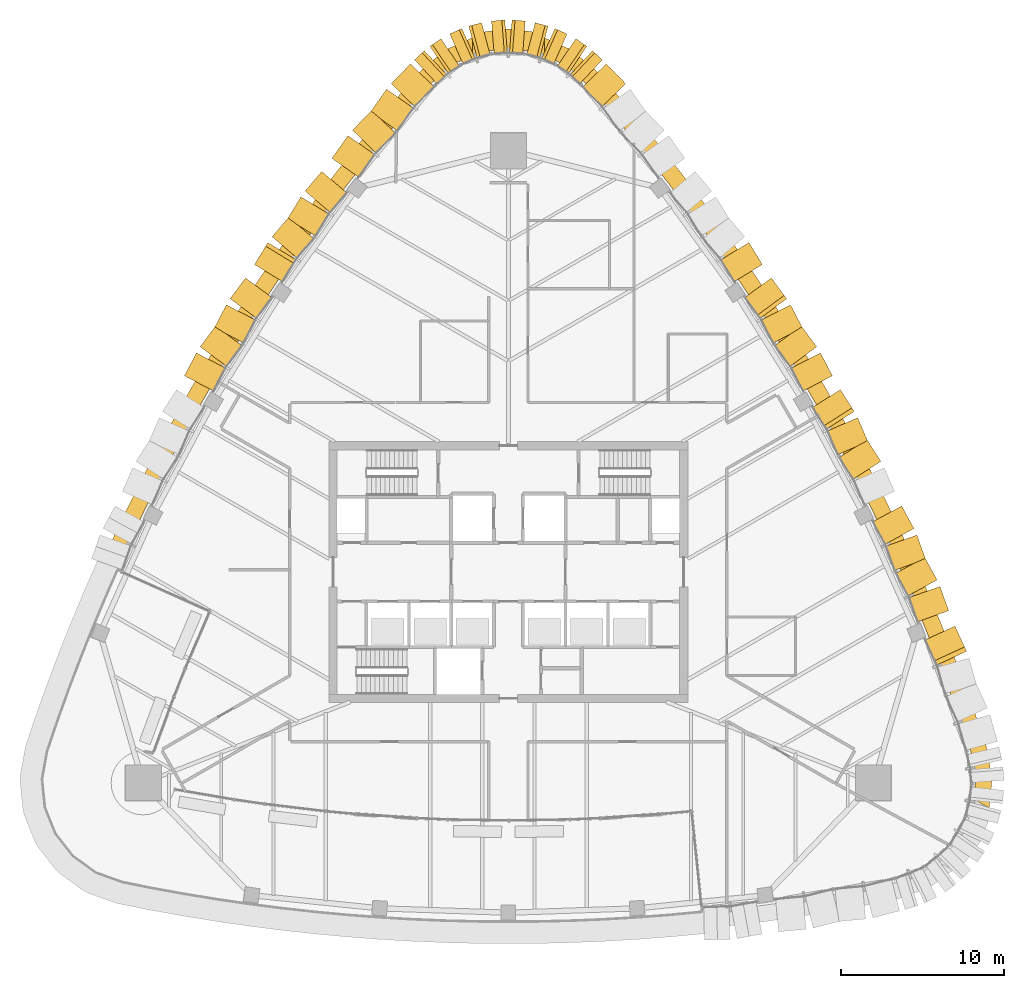
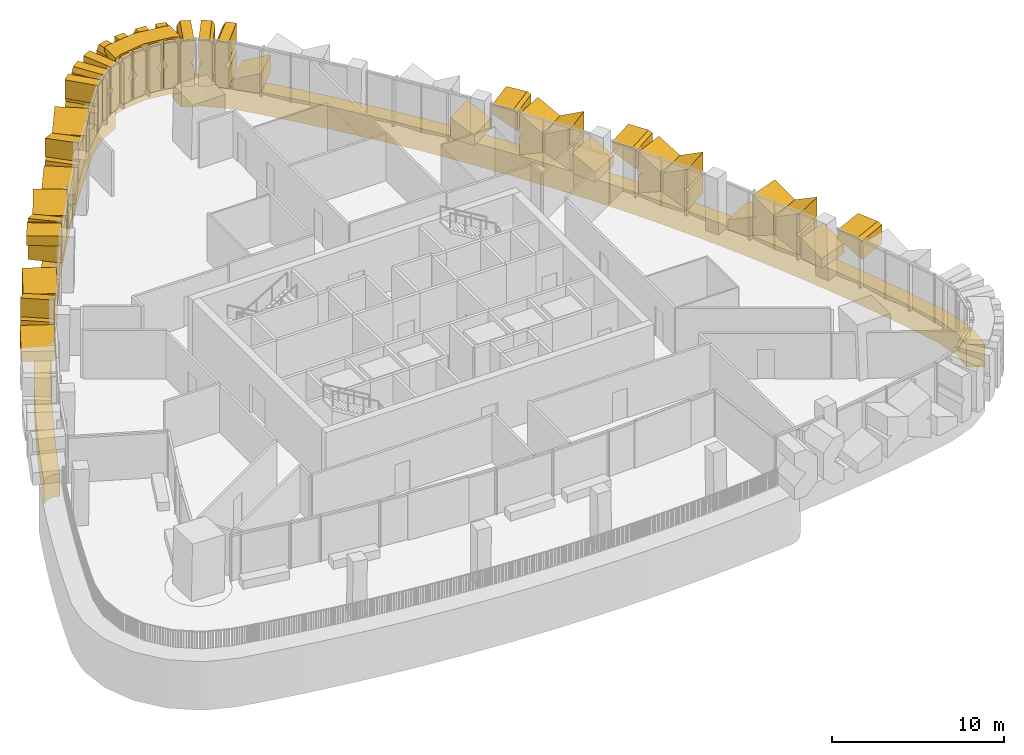
# One storey, part 20 of 22: 39 coverings.
"""IFC4 building model written with IfcOpenShell, lengths in metres."""

from ifc_helpers import new_model, si_unit, direction, frame, origin, place, context, subcontext, project, spatial, polyline, outline, extrude, material, layer, layer_set, type_object, element, save


model = new_model("IFC4")

# Units and contexts
model_context = context("Model", 3, precision=1e-05, world=origin(), true_north=direction((0.0, 1.0)))
body_context = subcontext(model_context, "Body", "Model", "MODEL_VIEW")
ifc_project = project(units=[si_unit("LENGTHUNIT", "METRE"), si_unit("AREAUNIT", "SQUARE_METRE"), si_unit("VOLUMEUNIT", "CUBIC_METRE"), si_unit("PLANEANGLEUNIT", "RADIAN"), si_unit("MASSUNIT", "GRAM", prefix="KILO")], contexts=[model_context])

# Site, building, storey
site_placement = place(None, origin())
site = spatial("IfcSite", under=ifc_project, at=site_placement, CompositionType="ELEMENT")
building_placement = place(site_placement, origin())
building = spatial("IfcBuilding", under=site, at=building_placement, Name="Sierra Prisma Convention Tower", CompositionType="ELEMENT")
storey_placement = place(building_placement, frame((0.0, 0.0, 227.0)))
storey = spatial("IfcBuildingStorey", under=building, at=storey_placement, Name="L50", CompositionType="ELEMENT", Elevation=227.0)

# Coverings
ifc_material_1 = material(Name="Aluminium composite bronze anodised", Category="aluminium")
ifc_layer_1 = layer(ifc_material_1, 1.199951171875)
ifc_layer_set_1 = layer_set([ifc_layer_1], Name="Bronze corner pier")
covering_type_1 = type_object("IfcCoveringType", Name="Bronze corner pier", PredefinedType="CLADDING", material=ifc_layer_set_1)
covering_1_placement = place(storey_placement, frame((0.0, 0.0, -0.60009765625)))
element("IfcCovering", 1, at=covering_1_placement, inside=storey, type_object=covering_type_1, Name="Corner pier N L50.1", PredefinedType="CLADDING", context=body_context, shape_type="SweptSolid", body=[
    extrude(outline(polyline([(-0.16796875, 33.315185546875), (0.16796875, 33.315185546875), (1.903076171875, 33.070068359375), (2.199951171875, 32.984375), (2.199951171875, 31.67333984375), (1.735107421875, 31.8818359375), (0.0, 32.127197265625), (-1.735107421875, 31.8818359375), (-2.199951171875, 31.67333984375), (-2.199951171875, 32.984375), (-1.903076171875, 33.070068359375), (-0.16796875, 33.315185546875)])), origin(), (0.0, 0.0, 1.0), 4.0),
])
ifc_material_2 = material(Name="Aluminium 6063-T6 bronze anodised", Category="aluminium")
ifc_layer_2 = layer(ifc_material_2, 2.0)
ifc_layer_set_2 = layer_set([ifc_layer_2], Name="Bronze crystal chevron frame")
covering_type_2 = type_object("IfcCoveringType", Name="Bronze crystal chevron frame", PredefinedType="CLADDING", material=ifc_layer_set_2)
covering_2_placement = place(storey_placement, frame((28.09619140625, -4.858154296875, 1.831298828125), z_axis=(0.908156625246, 0.418630557657, -1.4771159e-05), x_axis=(-0.381776107502, 0.828220861507, 0.410240427438)))
element("IfcCovering", 2, at=covering_2_placement, inside=storey, type_object=covering_type_2, Name="CW-2 chevron frame NE1.2.2", PredefinedType="CLADDING", context=body_context, shape_type="SweptSolid", body=[
    extrude(outline(polyline([(0.0, 0.0), (1.8615227164022956, -1.1102230246251565e-16), (2.142561446722345, 0.6247579601961271), (0.8635087677607567, 1.2001221237740765), (0.5398427499732954, 1.2000874573974076), (0.0, 0.0)])), origin(), (0.0, 0.0, -1.0), 2.0),
])
covering_3_placement = place(storey_placement, frame((26.552978515625, -1.12451171875, 0.0), z_axis=(0.941783610959, 0.336219615543, -1.5930939e-05), x_axis=(-0.302810731461, 0.848222689988, 0.434538754429)))
element("IfcCovering", 3, at=covering_3_placement, inside=storey, type_object=covering_type_2, Name="CW-2 chevron frame NE2.1.1", PredefinedType="CLADDING", context=body_context, shape_type="SweptSolid", body=[
    extrude(outline(polyline([(0.0, 0.0), (0.2814811162249958, 0.0), (0.8605124935864916, 1.2001378940533995), (-0.8867415709483897, 1.199836024966626), (-1.1888817986372024, 0.573600641627659), (0.0, 0.0)])), origin(), (0.0, 0.0, -1.0), 2.0),
])
covering_4_placement = place(storey_placement, frame((26.286376953125, -0.48095703125, 1.517578125), z_axis=(0.877510414343, 0.479557580191, 0.0), x_axis=(0.0, 0.0, -1.0)))
element("IfcCovering", 4, at=covering_4_placement, inside=storey, type_object=covering_type_2, Name="CW-2 chevron frame NE2.1.2", PredefinedType="CLADDING", context=body_context, shape_type="SweptSolid", body=[
    extrude(outline(polyline([(0.0, 0.0), (1.33251953125, 0.0), (0.57275390625, 1.5736111777093222), (-0.817626953125, 1.5736111777093222), (-1.577392578125, 0.0), (-0.244873046875, 0.0), (-0.122314453125, 0.2534745269536312), (0.0, 0.0)])), origin(), (0.0, 0.0, -1.0), 2.0),
])
covering_5_placement = place(storey_placement, frame((25.582763671875, 0.78662109375, 0.94482421875), z_axis=(0.941751730593, 0.336308902537, 0.0), x_axis=(-0.302865368316, 0.848101202783, -0.434737758325)))
element("IfcCovering", 5, at=covering_5_placement, inside=storey, type_object=covering_type_2, Name="CW-2 chevron frame NE2.2.1", PredefinedType="CLADDING", context=body_context, shape_type="SweptSolid", body=[
    extrude(outline(polyline([(0.0, 0.0), (1.7476412169213669, 0.0), (1.1683446629820495, 1.200009918190992), (0.8868635578100439, 1.1999477216367662), (1.0618891035095073, 1.4205320779465005), (0.4825925495701897, 2.6205419961374927), (-0.6044510580220618, 1.2521173477643275), (0.0, 0.0)])), origin(), (0.0, 0.0, -1.0), 2.0),
])
covering_6_placement = place(storey_placement, frame((24.8720703125, 2.67333984375, 0.122314453125), z_axis=(0.877612289024, 0.479371117851, -3.9040714e-05), x_axis=(-0.431748372865, 0.790391195215, -0.434597631213)))
element("IfcCovering", 6, at=covering_6_placement, inside=storey, type_object=covering_type_2, Name="CW-2 chevron frame NE2.2.2", PredefinedType="CLADDING", context=body_context, shape_type="SweptSolid", body=[
    extrude(outline(polyline([(0.0, 0.0), (0.28144298871211343, -1.3877787807814457e-17), (1.4704782413863928, 0.5737705087437753), (1.168297075933643, 1.1999861386708714), (-0.579109831826232, 1.2001000379712399), (0.0, 0.0)])), origin(), (0.0, 0.0, -1.0), 2.0),
])
covering_7_placement = place(storey_placement, frame((22.83984375, 6.78759765625, 1.516845703125), z_axis=(0.842904599779, 0.53806304061, 0.0), x_axis=(0.0, 0.0, -1.0)))
element("IfcCovering", 7, at=covering_7_placement, inside=storey, type_object=covering_type_2, Name="CW-2 chevron frame NE3.1.2", PredefinedType="CLADDING", context=body_context, shape_type="SweptSolid", body=[
    extrude(outline(polyline([(0.0, 0.0), (1.331298828125, 0.0), (0.5712890625, 1.5817357858795353), (-0.817626953125, 1.5817357858795353), (-1.57763671875, 0.0), (-0.246337890625, 0.0), (-0.123046875, 0.25634184295643336), (0.0, 0.0)])), origin(), (0.0, 0.0, -1.0), 2.0),
])
covering_8_placement = place(storey_placement, frame((22.047119140625, 8.01123046875, 0.945556640625), z_axis=(0.916740233178, 0.399483848075, 0.0), x_axis=(-0.360070678171, 0.826294427316, -0.433112717555)))
element("IfcCovering", 8, at=covering_8_placement, inside=storey, type_object=covering_type_2, Name="CW-2 chevron frame NE3.2.1", PredefinedType="CLADDING", context=body_context, shape_type="SweptSolid", body=[
    extrude(outline(polyline([(0.0, 0.0), (1.7547620626673406, 0.0), (1.1781596093397804, 1.199952574306017), (0.8939668205508566, 1.1999074902394384), (1.0714675360943178, 1.4219867110151263), (0.49486508276675767, 2.6219392853211434), (-0.6015571899835851, 1.2518852366086433), (0.0, 0.0)])), origin(), (0.0, 0.0, -1.0), 2.0),
])
covering_9_placement = place(storey_placement, frame((21.206787109375, 9.8525390625, 1.82568359375), z_axis=(0.842904599499, 0.538063041012, 6.283506e-06), x_axis=(-0.485014820038, 0.759796661091, 0.432977664712)))
element("IfcCovering", 9, at=covering_9_placement, inside=storey, type_object=covering_type_2, Name="CW-2 chevron frame NE3.2.2", PredefinedType="CLADDING", context=body_context, shape_type="SweptSolid", body=[
    extrude(outline(polyline([(0.0, 0.0), (1.754745537463533, -1.1102230246251565e-16), (2.0554831976456125, 0.6260977117489657), (0.8607669353213178, 1.1999636860627398), (0.5764226576354582, 1.2000389533100566), (0.0, 0.0)])), origin(), (0.0, 0.0, -1.0), 2.0),
])
covering_10_placement = place(storey_placement, frame((19.254150390625, 13.2119140625, 0.0), z_axis=(0.887405678175, 0.4609893297, -1.5644972e-05), x_axis=(-0.415599909652, 0.800045608499, 0.432670474401)))
element("IfcCovering", 10, at=covering_10_placement, inside=storey, type_object=covering_type_2, Name="CW-2 chevron frame NE4.1.1", PredefinedType="CLADDING", context=body_context, shape_type="SweptSolid", body=[
    extrude(outline(polyline([(0.0, 0.0), (0.28438935119407494, 0.0), (0.8604030467290298, 1.2002353068833425), (-0.8945114296715719, 1.199718480639504), (-1.1950357215837206, 0.5735183251135351), (0.0, 0.0)])), origin(), (0.0, 0.0, -1.0), 2.0),
])
covering_11_placement = place(storey_placement, frame((18.9013671875, 13.815673828125, 1.516845703125), z_axis=(0.804371122643, 0.594127172462, 0.0), x_axis=(0.0, 0.0, -1.0)))
element("IfcCovering", 11, at=covering_11_placement, inside=storey, type_object=covering_type_2, Name="CW-2 chevron frame NE4.1.2", PredefinedType="CLADDING", context=body_context, shape_type="SweptSolid", body=[
    extrude(outline(polyline([(0.0, 0.0), (1.331298828125, 0.0), (0.5712890625, 1.5816341325439551), (-0.817626953125, 1.5816341325439551), (-1.57763671875, 0.0), (-0.246337890625, 0.0), (-0.123046875, 0.25625600174003005), (0.0, 0.0)])), origin(), (0.0, 0.0, -1.0), 2.0),
])
covering_12_placement = place(storey_placement, frame((18.02734375, 14.982421875, 0.945556640625), z_axis=(0.887374464366, 0.461049411659, 0.0), x_axis=(-0.415565609414, 0.799832514124, -0.433097187271)))
element("IfcCovering", 12, at=covering_12_placement, inside=storey, type_object=covering_type_2, Name="CW-2 chevron frame NE4.2.1", PredefinedType="CLADDING", context=body_context, shape_type="SweptSolid", body=[
    extrude(outline(polyline([(0.0, 0.0), (1.7548249860826552, 0.0), (1.178243208204744, 1.19996250907524), (0.894049163285155, 1.199921718475752), (1.071554960656823, 1.4219984840719238), (0.4949731827789118, 2.6219609931471637), (-0.6015356197226183, 1.251895601344038), (0.0, 0.0)])), origin(), (0.0, 0.0, -1.0), 2.0),
])
covering_13_placement = place(storey_placement, frame((17.0634765625, 16.76220703125, 1.82568359375), z_axis=(0.80441869265, 0.594062755961, -9.4317572e-05), x_axis=(-0.535464096089, 0.725139152773, 0.432956592414)))
element("IfcCovering", 13, at=covering_13_placement, inside=storey, type_object=covering_type_2, Name="CW-2 chevron frame NE4.2.2", PredefinedType="CLADDING", context=body_context, shape_type="SweptSolid", body=[
    extrude(outline(polyline([(0.0, 0.0), (1.7548309291244175, 0.0), (2.055553952907859, 0.6261047385246098), (0.8607077971107145, 1.199998752314786), (0.576394604109352, 1.2000524215025297), (0.0, 0.0)])), origin(), (0.0, 0.0, -1.0), 2.0),
])
covering_14_placement = place(storey_placement, frame((14.883056640625, 19.987060546875, 0.0), z_axis=(0.853957926969, 0.520342057094, 5.0855536e-05), x_axis=(-0.468714318024, 0.769186754902, 0.434348505422)))
element("IfcCovering", 14, at=covering_14_placement, inside=storey, type_object=covering_type_2, Name="CW-2 chevron frame NE5.1.1", PredefinedType="CLADDING", context=body_context, shape_type="SweptSolid", body=[
    extrude(outline(polyline([(0.0, 0.0), (0.28160441866837266, 1.3877787807814457e-17), (0.860382285512824, 1.2002601707219465), (-0.8875111125182499, 1.1996265415116654), (-1.189413015579106, 0.573547262280192), (0.0, 0.0)])), origin(), (0.0, 0.0, -1.0), 2.0),
])
covering_15_placement = place(storey_placement, frame((7.1884765625, 29.949462890625, 0.1328125), z_axis=(0.716319149112, 0.697772795665, 4.7396538e-05), x_axis=(-0.63627046056, 0.653210001996, -0.410459004421)))
element("IfcCovering", 15, at=covering_15_placement, inside=storey, type_object=covering_type_2, Name="CW-2 chevron frame NE6.2.2", PredefinedType="CLADDING", context=body_context, shape_type="SweptSolid", body=[
    extrude(outline(polyline([(0.0, 0.0), (0.3235706929653853, -1.3877787807814457e-17), (1.6025666486783587, 0.5757072833572774), (1.3214783900352975, 1.2001752369052505), (-0.5401303793533331, 1.1999580283863012), (0.0, 0.0)])), origin(), (0.0, 0.0, -1.0), 2.0),
])
covering_16_placement = place(storey_placement, frame((5.75390625, 31.41064453125, 0.0), z_axis=(0.683684371409, 0.729777829405, 0.0), x_axis=(-0.729777829405, 0.683684371409, 0.0)))
element("IfcCovering", 16, at=covering_16_placement, inside=storey, type_object=covering_type_2, Name="CW-2 chevron frame N1.1.1", PredefinedType="CLADDING", context=body_context, shape_type="SweptSolid", body=[
    extrude(outline(polyline([(0.0, 0.0), (0.631654832748821, 0.0), (0.8159538365694268, 0.32080078125), (0.8159538365694268, 2.958984375), (0.631654832748821, 3.280029296875), (0.0, 3.280029296875), (0.0, 1.9697265625), (0.18913017345229435, 1.639892578125), (0.0, 1.310302734375), (0.0, 0.0)])), origin(), (0.0, 0.0, -1.0), 2.0),
])
covering_17_placement = place(storey_placement, frame((4.812255859375, 32.245361328125, 0.32080078125), z_axis=(0.561131457199, 0.8277266987, 0.0), x_axis=(-0.412243857253, 0.279467844525, -0.867152077801)))
element("IfcCovering", 17, at=covering_17_placement, inside=storey, type_object=covering_type_2, Name="CW-2 chevron frame N1.1.2", PredefinedType="CLADDING", context=body_context, shape_type="SweptSolid", body=[
    extrude(outline(polyline([(0.0, 0.0), (0.3699475437614874, 2.7755575615628914e-17), (0.6844986689149382, 0.5476704171444882), (-0.4517330697461429, 1.200258106095037), (-0.8316629188803455, 1.2005249214821565), (-1.0235538124559582, 1.528679821737935), (-2.1597855511170394, 2.1812675106884836), (-2.47433667627049, 1.6335970935439956), (-2.2877063849397508, 1.313930047847891), (0.0, 0.0)])), origin(), (0.0, 0.0, -1.0), 2.0),
])
covering_18_placement = place(storey_placement, frame((3.596923828125, 33.002197265625, 0.0), z_axis=(0.403718609362, 0.914883208095, 0.0), x_axis=(-0.914883208095, 0.403718609362, 0.0)))
element("IfcCovering", 18, at=covering_18_placement, inside=storey, type_object=covering_type_2, Name="CW-2 chevron frame N2.1.1", PredefinedType="CLADDING", context=body_context, shape_type="SweptSolid", body=[
    extrude(outline(polyline([(0.0, 0.0), (0.6316929932482785, 0.0), (0.8157749929630806, 0.32080078125000006), (0.8157749929630806, 2.9589843750000004), (0.6316929932482785, 3.280029296875001), (0.0, 3.280029296875001), (0.0, 1.9697265625000004), (0.18898955958540128, 1.6398925781250004), (0.0, 1.3103027343750002), (0.0, 0.0)])), origin(), (0.0, 0.0, -1.0), 2.0),
])
covering_19_placement = place(storey_placement, frame((2.43212890625, 33.478271484375, 0.32080078125), z_axis=(0.255891717205, 0.966705451038, 0.0), x_axis=(-0.481186638209, 0.127372484572, -0.867315207628)))
element("IfcCovering", 19, at=covering_19_placement, inside=storey, type_object=covering_type_2, Name="CW-2 chevron frame N2.1.2", PredefinedType="CLADDING", context=body_context, shape_type="SweptSolid", body=[
    extrude(outline(polyline([(0.0, 0.0), (0.36987796181644483, -2.7755575615628914e-17), (0.6842745357779383, 0.5478168351375248), (-0.4521709523425778, 1.2000322199921936), (-0.8320593526413091, 1.2002468959754526), (-1.0240992667479278, 1.5282665696274575), (-2.160544754868444, 2.180481954482126), (-2.4749413288299373, 1.6326651193446013), (-2.2881367513751254, 1.313180445079104), (0.0, 0.0)])), origin(), (0.0, 0.0, -1.0), 2.0),
])
covering_20_placement = place(storey_placement, frame((1.034912109375, 33.79052734375, 0.0), z_axis=(0.078408691139, 0.996921299378, 0.0), x_axis=(-0.996921299378, 0.078408691139, 0.0)))
element("IfcCovering", 20, at=covering_20_placement, inside=storey, type_object=covering_type_2, Name="CW-2 chevron frame N3.1.1", PredefinedType="CLADDING", context=body_context, shape_type="SweptSolid", body=[
    extrude(outline(polyline([(0.0, 0.0), (0.6315861805169751, 0.0), (0.8157441223894333, 0.32080078125), (0.8157441223894333, 2.958984375), (0.6315861805169751, 3.280029296875), (0.0, 3.280029296875), (0.0, 1.9697265625), (0.18906400714829835, 1.639892578125), (0.0, 1.310302734375), (0.0, 0.0)])), origin(), (0.0, 0.0, -1.0), 2.0),
])
covering_21_placement = place(storey_placement, frame((-0.2216796875, 33.8544921875, 0.32080078125), z_axis=(-0.078408691139, 0.996921299378, 0.0), x_axis=(-0.496323646304, -0.039036268472, -0.867259481276)))
element("IfcCovering", 21, at=covering_21_placement, inside=storey, type_object=covering_type_2, Name="CW-2 chevron frame N3.1.2", PredefinedType="CLADDING", context=body_context, shape_type="SweptSolid", body=[
    extrude(outline(polyline([(0.0, 0.0), (0.3699017285784294, 0.0), (0.6843409488710475, 0.5477491032962003), (-0.4520315208574531, 1.2000917017471602), (-0.8319981632027192, 1.2002125611110976), (-1.0239230879781311, 1.52839007298175), (-2.1602955577066316, 2.1807326714327093), (-2.4747347779992497, 1.6329835681365092), (-2.2879897350263048, 1.3134365788822566), (0.0, 0.0)])), origin(), (0.0, 0.0, -1.0), 2.0),
])
covering_22_placement = place(storey_placement, frame((-1.6435546875, 33.68701171875, 0.0), z_axis=(-0.255891717205, 0.966705451038, 0.0), x_axis=(-0.966705451038, -0.255891717205, 0.0)))
element("IfcCovering", 22, at=covering_22_placement, inside=storey, type_object=covering_type_2, Name="CW-2 chevron frame N4.1.1", PredefinedType="CLADDING", context=body_context, shape_type="SweptSolid", body=[
    extrude(outline(polyline([(0.0, 0.0), (0.6316236938073325, 0.0), (0.8157338928373619, 0.32080078125), (0.8157338928373619, 2.958984375), (0.6316236938073325, 3.280029296875), (0.0, 3.280029296875), (0.0, 1.9697265625), (0.18890679623602064, 1.639892578125), (0.0, 1.310302734375), (0.0, 0.0)])), origin(), (0.0, 0.0, -1.0), 2.0),
])
covering_23_placement = place(storey_placement, frame((-2.8505859375, 33.33154296875, 0.32080078125), z_axis=(-0.403718609362, 0.914883208095, 0.0), x_axis=(-0.455339162711, -0.200931541787, -0.867348120662)))
element("IfcCovering", 23, at=covering_23_placement, inside=storey, type_object=covering_type_2, Name="CW-2 chevron frame N4.1.2", PredefinedType="CLADDING", context=body_context, shape_type="SweptSolid", body=[
    extrude(outline(polyline([(0.0, 0.0), (0.36986392615340413, 0.0), (0.684258764850765, 0.5478977305295489), (-0.45222984930829535, 1.2000379651397286), (-0.8321594544530888, 1.2001557359116772), (-1.02417986735257, 1.5282344946128226), (-2.1606684815116304, 2.1803747292230025), (-2.4750633202089913, 1.6324769986934538), (-2.288223582001641, 1.3130291364258624), (0.0, 0.0)])), origin(), (0.0, 0.0, -1.0), 2.0),
])
covering_24_placement = place(storey_placement, frame((-4.136962890625, 32.703125, 0.0), z_axis=(-0.561131457199, 0.8277266987, 0.0), x_axis=(-0.8277266987, -0.561131457199, 0.0)))
element("IfcCovering", 24, at=covering_24_placement, inside=storey, type_object=covering_type_2, Name="CW-2 chevron frame N5.1.1", PredefinedType="CLADDING", context=body_context, shape_type="SweptSolid", body=[
    extrude(outline(polyline([(0.0, 0.0), (0.6315736664479605, 0.0), (0.8158236159311213, 0.32080078125), (0.8158236159311213, 2.958984375), (0.6315736664479605, 3.280029296875), (0.0, 3.280029296875), (0.0, 1.9697265625), (0.18899020173130482, 1.639892578125), (0.0, 1.310302734375), (0.0, 0.0)])), origin(), (0.0, 0.0, -1.0), 2.0),
])
covering_25_placement = place(storey_placement, frame((-5.158447265625, 31.968505859375, 0.32080078125), z_axis=(-0.683684371409, 0.729777829405, 0.0), x_axis=(-0.363533821982, -0.340572681922, -0.867094809467)))
element("IfcCovering", 25, at=covering_25_placement, inside=storey, type_object=covering_type_2, Name="CW-2 chevron frame N5.1.2", PredefinedType="CLADDING", context=body_context, shape_type="SweptSolid", body=[
    extrude(outline(polyline([(0.0, 0.0), (0.36997197739812415, 0.0), (0.6846265013779432, 0.5477046268509829), (-0.4515301984284852, 1.2004229498629595), (-0.8315297403274509, 1.2006120789736618), (-1.0233131770342543, 1.5289104084907494), (-2.159469876840683, 2.181628731502726), (-2.474124400820502, 1.6339241046517432), (-2.2875553005605114, 1.3141930684679373), (0.0, 0.0)])), origin(), (0.0, 0.0, -1.0), 2.0),
])
covering_26_placement = place(storey_placement, frame((-6.982666015625, 30.160888671875, 0.0), z_axis=(-0.716319149112, 0.697772795665, 4.7396538e-05), x_axis=(-0.63627046056, -0.653210001996, 0.410459004421)))
element("IfcCovering", 26, at=covering_26_placement, inside=storey, type_object=covering_type_2, Name="CW-2 chevron frame NW1.1.1", PredefinedType="CLADDING", context=body_context, shape_type="SweptSolid", body=[
    extrude(outline(polyline([(0.0, 0.0), (0.3235706929653853, 1.3877787807814457e-17), (0.8637010723187184, 1.1999580283863012), (-0.9979076970699124, 1.2001752369052503), (-1.2789959557129735, 0.5757072833572774), (0.0, 0.0)])), origin(), (0.0, 0.0, -1.0), 2.0),
])
covering_27_placement = place(storey_placement, frame((-7.47216796875, 29.608642578125, 1.507080078125), z_axis=(-0.816627721536, 0.577164763666, 0.0), x_axis=(0.0, 0.0, -1.0)))
element("IfcCovering", 27, at=covering_27_placement, inside=storey, type_object=covering_type_2, Name="CW-2 chevron frame NW1.1.2", PredefinedType="CLADDING", context=body_context, shape_type="SweptSolid", body=[
    extrude(outline(polyline([(0.0, 0.0), (1.315673828125, 0.0), (0.552001953125, 1.6975035154974503), (-0.81787109375, 1.6975035154974503), (-1.58154296875, 0.0), (-0.265625, 0.0), (-0.1328125, 0.2953342758586956), (0.0, 0.0)])), origin(), (0.0, 0.0, -1.0), 2.0),
])
covering_28_placement = place(storey_placement, frame((-8.37255859375, 28.31787109375, 0.955078125), z_axis=(-0.71625287741, 0.697840823972, 0.0), x_axis=(-0.636403055045, -0.653194114918, -0.410278685487)))
element("IfcCovering", 28, at=covering_28_placement, inside=storey, type_object=covering_type_2, Name="CW-2 chevron frame NW1.2.1", PredefinedType="CLADDING", context=body_context, shape_type="SweptSolid", body=[
    extrude(outline(polyline([(0.0, 0.0), (1.861349131732642, -1.1102230246251565e-16), (1.3215562029996115, 1.1998421629959954), (0.9978301563974337, 1.1998362451303608), (1.2125759271670753, 1.442081590225471), (0.6726828327393457, 2.6421463997538464), (-0.5620297129562135, 1.2492696931843628), (0.0, 0.0)])), origin(), (0.0, 0.0, -1.0), 2.0),
])
covering_29_placement = place(storey_placement, frame((-9.8408203125, 26.760986328125, 0.1328125), z_axis=(-0.816630735901, 0.577160497237, 4.01468e-05), x_axis=(-0.526337324679, -0.744691925086, -0.410369293883)))
element("IfcCovering", 29, at=covering_29_placement, inside=storey, type_object=covering_type_2, Name="CW-2 chevron frame NW1.2.2", PredefinedType="CLADDING", context=body_context, shape_type="SweptSolid", body=[
    extrude(outline(polyline([(0.0, 0.0), (0.3236414254291497, -1.3877787807814457e-17), (1.6024886060656245, 0.5754890205076066), (1.3214617824957104, 1.1999846240847865), (-0.5400123276441487, 1.200011159814973), (0.0, 0.0)])), origin(), (0.0, 0.0, -1.0), 2.0),
])
covering_30_placement = place(storey_placement, frame((-12.302734375, 23.5576171875, 0.0), z_axis=(-0.762107748901, 0.64745021358, -3.73376e-07), x_axis=(-0.583076069536, -0.68633327963, 0.434705562889)))
element("IfcCovering", 30, at=covering_30_placement, inside=storey, type_object=covering_type_2, Name="CW-2 chevron frame NW2.1.1", PredefinedType="CLADDING", context=body_context, shape_type="SweptSolid", body=[
    extrude(outline(polyline([(0.0, 0.0), (0.2813731030085423, 1.3877787807814457e-17), (0.8606267559017744, 1.20003062743095), (-0.8866424125221641, 1.2000596567431434), (-1.1888986242187425, 0.5738802454343591), (0.0, 0.0)])), origin(), (0.0, 0.0, -1.0), 2.0),
])
covering_31_placement = place(storey_placement, frame((-12.7265625, 23.005126953125, 1.517578125), z_axis=(-0.853985107632, 0.520297449488, 0.0), x_axis=(0.0, 0.0, -1.0)))
element("IfcCovering", 31, at=covering_31_placement, inside=storey, type_object=covering_type_2, Name="CW-2 chevron frame NW2.1.2", PredefinedType="CLADDING", context=body_context, shape_type="SweptSolid", body=[
    extrude(outline(polyline([(0.0, 0.0), (1.33251953125, 0.0), (0.57275390625, 1.573795327903767), (-0.817626953125, 1.573795327903767), (-1.577392578125, 0.0), (-0.244873046875, 0.0), (-0.122314453125, 0.2536537379497303), (0.0, 0.0)])), origin(), (0.0, 0.0, -1.0), 2.0),
])
covering_32_placement = place(storey_placement, frame((-13.47265625, 21.76171875, 0.94482421875), z_axis=(-0.762104011096, 0.647454613291, 0.0), x_axis=(-0.583049166235, -0.686293833007, -0.434803915034)))
element("IfcCovering", 32, at=covering_32_placement, inside=storey, type_object=covering_type_2, Name="CW-2 chevron frame NW2.2.1", PredefinedType="CLADDING", context=body_context, shape_type="SweptSolid", body=[
    extrude(outline(polyline([(0.0, 0.0), (1.7473753081093886, -2.220446049250313e-16), (1.1679905990623924, 1.1999673579248928), (0.8864499455263346, 1.1998557283128202), (1.0615188395947968, 1.4204816965102112), (0.4821341305478005, 2.6204490544351042), (-0.6045430410448229, 1.2520729394251129), (0.0, 0.0)])), origin(), (0.0, 0.0, -1.0), 2.0),
])
covering_33_placement = place(storey_placement, frame((-14.751220703125, 20.203125, 1.8251953125), z_axis=(-0.853941167228, 0.520369563704, -9.174164e-06), x_axis=(-0.468639521645, -0.769043042056, 0.434683561016)))
element("IfcCovering", 33, at=covering_33_placement, inside=storey, type_object=covering_type_2, Name="CW-2 chevron frame NW2.2.2", PredefinedType="CLADDING", context=body_context, shape_type="SweptSolid", body=[
    extrude(outline(polyline([(0.0, 0.0), (1.747297465184205, 1.1102230246251565e-16), (2.049538378703488, 0.6261867954616965), (0.8605265666618657, 1.2000858603731213), (0.5792243349677837, 1.200044778662198), (0.0, 0.0)])), origin(), (0.0, 0.0, -1.0), 2.0),
])
covering_34_placement = place(storey_placement, frame((-16.911376953125, 16.96826171875, 0.0), z_axis=(-0.804371118879, 0.594127175011, -5.501505e-05), x_axis=(-0.535602621822, -0.725096384524, 0.432856863925)))
element("IfcCovering", 34, at=covering_34_placement, inside=storey, type_object=covering_type_2, Name="CW-2 chevron frame NW3.1.1", PredefinedType="CLADDING", context=body_context, shape_type="SweptSolid", body=[
    extrude(outline(polyline([(0.0, 0.0), (0.28426690526703, 1.3877787807814457e-17), (0.8605287409566493, 1.2001161865129204), (-0.8941251437319082, 1.199837034327666), (-1.194778898094088, 0.5736990276103986), (0.0, 0.0)])), origin(), (0.0, 0.0, -1.0), 2.0),
])
covering_35_placement = place(storey_placement, frame((-17.29833984375, 16.385986328125, 1.516845703125), z_axis=(-0.887432651105, 0.460937403291, 0.0), x_axis=(0.0, 0.0, -1.0)))
element("IfcCovering", 35, at=covering_35_placement, inside=storey, type_object=covering_type_2, Name="CW-2 chevron frame NW3.1.2", PredefinedType="CLADDING", context=body_context, shape_type="SweptSolid", body=[
    extrude(outline(polyline([(0.0, 0.0), (1.331298828125, 0.0), (0.5712890625, 1.5815940911694093), (-0.817626953125, 1.5815940911694093), (-1.57763671875, 0.0), (-0.246337890625, 0.0), (-0.123046875, 0.25627929604967437), (0.0, 0.0)])), origin(), (0.0, 0.0, -1.0), 2.0),
])
covering_36_placement = place(storey_placement, frame((-17.961669921875, 15.087646484375, 0.945556640625), z_axis=(-0.804367970331, 0.594131440261, 0.0), x_axis=(-0.535514122239, -0.725008606513, -0.433113317003)))
element("IfcCovering", 36, at=covering_36_placement, inside=storey, type_object=covering_type_2, Name="CW-2 chevron frame NW3.2.1", PredefinedType="CLADDING", context=body_context, shape_type="SweptSolid", body=[
    extrude(outline(polyline([(0.0, 0.0), (1.7547596340002651, -1.1102230246251565e-16), (1.178156382628707, 1.1999521908287623), (0.8937124869866799, 1.199786255411032), (1.0714641617165666, 1.4219862565808659), (0.49486091034500823, 2.621938447409628), (-0.6015580225660728, 1.2518848365349036), (0.0, 0.0)])), origin(), (0.0, 0.0, -1.0), 2.0),
])
covering_37_placement = place(storey_placement, frame((-19.135986328125, 13.439208984375, 0.123046875), z_axis=(-0.887374462972, 0.461049413451, 2.8656687e-05), x_axis=(-0.41560527598, -0.799881944103, -0.432967816443)))
element("IfcCovering", 37, at=covering_37_placement, inside=storey, type_object=covering_type_2, Name="CW-2 chevron frame NW3.2.2", PredefinedType="CLADDING", context=body_context, shape_type="SweptSolid", body=[
    extrude(outline(polyline([(0.0, 0.0), (0.28419404858925446, -2.7755575615628914e-17), (1.47904053600816, 0.5739124621743654), (1.1783097162378686, 1.2000134592764593), (-0.5764095466458342, 1.2000452503331167), (0.0, 0.0)])), origin(), (0.0, 0.0, -1.0), 2.0),
])
ifc_material_3 = material(Name="Aluminium composite bronze anodised", Category="aluminium")
ifc_layer_3 = layer(ifc_material_3, 1.0)
ifc_layer_set_3 = layer_set([ifc_layer_3], Name="Bronze spandrel band")
covering_type_3 = type_object("IfcCoveringType", Name="Bronze spandrel band", PredefinedType="CLADDING", material=ifc_layer_set_3)
covering_38_placement = place(storey_placement, frame((0.0, 0.0, -1.60009765625)))
element("IfcCovering", 38, at=covering_38_placement, inside=storey, type_object=covering_type_3, Name="Spandrel band L50.1", PredefinedType="CLADDING", context=body_context, shape_type="SweptSolid", body=[
    extrude(outline(polyline([(-24.11328125, 2.358154296875), (-24.10595703125, 2.37353515625), (-23.247314453125, 4.164794921875), (-23.23974609375, 4.18017578125), (-22.3505859375, 5.956787109375), (-22.343017578125, 5.971923828125), (-21.423828125, 7.73291015625), (-21.415771484375, 7.748046875), (-20.466796875, 9.4931640625), (-20.45849609375, 9.508056640625), (-19.47998046875, 11.23681640625), (-19.471435546875, 11.251708984375), (-18.46337890625, 12.96337890625), (-18.45458984375, 12.97802734375), (-17.41796875, 14.672607421875), (-17.408935546875, 14.68701171875), (-16.34326171875, 16.363525390625), (-16.333984375, 16.3779296875), (-15.239990234375, 18.0361328125), (-15.230712890625, 18.05029296875), (-14.1083984375, 19.689697265625), (-14.098876953125, 19.70361328125), (-12.948974609375, 21.323486328125), (-12.939208984375, 21.33740234375), (-11.761962890625, 22.9375), (-11.751708984375, 22.951171875), (-10.54736328125, 24.531005859375), (-10.537109375, 24.544677734375), (-9.305908203125, 26.103759765625), (-9.29541015625, 26.116943359375), (-8.0380859375, 27.655029296875), (-8.027099609375, 27.668212890625), (-6.743896484375, 29.1845703125), (-6.732666015625, 29.197509765625), (-5.423583984375, 30.69189453125), (-5.3173828125, 30.796142578125), (-3.97998046875, 31.92822265625), (-3.7431640625, 32.077392578125), (-2.2099609375, 32.764892578125), (-2.2099609375, 31.6689453125), (-3.333984375, 31.1650390625), (-4.67138671875, 30.032958984375), (-5.98046875, 28.53857421875), (-7.263916015625, 27.022216796875), (-8.52099609375, 25.484130859375), (-9.752197265625, 23.9248046875), (-10.956298828125, 22.344970703125), (-12.133544921875, 20.744873046875), (-13.283203125, 19.124755859375), (-14.4052734375, 17.485595703125), (-15.499267578125, 15.8271484375), (-16.56494140625, 14.150634765625), (-17.601806640625, 12.456298828125), (-18.609619140625, 10.744384765625), (-19.588134765625, 9.015380859375), (-20.537353515625, 7.270263671875), (-21.45654296875, 5.50927734375), (-22.345458984375, 3.732666015625), (-23.2041015625, 1.94140625), (-23.5966796875, 1.085205078125), (-23.604248046875, 1.088623046875), (-23.697021484375, 1.125), (-23.792724609375, 1.152099609375), (-23.890869140625, 1.169677734375), (-23.989990234375, 1.177490234375), (-24.089599609375, 1.17578125), (-24.188720703125, 1.164306640625), (-24.285888671875, 1.143310546875), (-24.380859375, 1.11279296875), (-24.47216796875, 1.073486328125), (-24.559326171875, 1.025146484375), (-24.641357421875, 0.968505859375), (-24.71728515625, 0.904296875), (-24.786865234375, 0.8330078125), (-24.847412109375, 0.757080078125), (-24.11328125, 2.358154296875)])), origin(), (0.0, 0.0, 1.0), 1.60009765625),
])
covering_39_placement = place(storey_placement, frame((0.0, 0.0, -1.60009765625)))
element("IfcCovering", 39, at=covering_39_placement, inside=storey, type_object=covering_type_3, Name="Spandrel band L50.3", PredefinedType="CLADDING", context=body_context, shape_type="SweptSolid", body=[
    extrude(outline(polyline([(5.3173828125, 30.796142578125), (5.423583984375, 30.69189453125), (6.732666015625, 29.197509765625), (6.743896484375, 29.1845703125), (8.027099609375, 27.668212890625), (8.0380859375, 27.655029296875), (9.29541015625, 26.116943359375), (9.305908203125, 26.103759765625), (10.537109375, 24.544677734375), (10.54736328125, 24.531005859375), (11.751708984375, 22.951171875), (11.761962890625, 22.9375), (12.939208984375, 21.33740234375), (12.948974609375, 21.323486328125), (14.098876953125, 19.70361328125), (14.1083984375, 19.689697265625), (15.230712890625, 18.05029296875), (15.239990234375, 18.0361328125), (16.333984375, 16.3779296875), (16.34326171875, 16.363525390625), (17.408935546875, 14.68701171875), (17.41796875, 14.672607421875), (18.45458984375, 12.97802734375), (18.46337890625, 12.96337890625), (19.471435546875, 11.251708984375), (19.47998046875, 11.23681640625), (20.45849609375, 9.508056640625), (20.466796875, 9.4931640625), (21.415771484375, 7.748046875), (21.423828125, 7.73291015625), (22.343017578125, 5.971923828125), (22.3505859375, 5.956787109375), (23.23974609375, 4.18017578125), (23.247314453125, 4.164794921875), (24.10595703125, 2.37353515625), (24.11328125, 2.358154296875), (24.94140625, 0.552490234375), (24.9482421875, 0.536865234375), (25.74560546875, -1.28271484375), (25.752197265625, -1.29833984375), (26.518310546875, -3.131103515625), (26.524658203125, -3.14697265625), (27.259521484375, -4.99267578125), (27.265625, -5.008544921875), (27.968994140625, -6.866455078125), (27.974853515625, -6.88232421875), (28.646484375, -8.751953125), (28.652099609375, -8.76806640625), (29.291748046875, -10.648681640625), (29.3291015625, -10.79296875), (29.640625, -12.517333984375), (29.6513671875, -12.797119140625), (29.47998046875, -14.468505859375), (28.531005859375, -13.92041015625), (28.656494140625, -12.6953125), (28.344970703125, -10.970703125), (27.705322265625, -9.090087890625), (27.03369140625, -7.220458984375), (26.33056640625, -5.362548828125), (25.595703125, -3.516845703125), (24.82958984375, -1.68408203125), (24.0322265625, 0.135498046875), (23.2041015625, 1.94140625), (22.345458984375, 3.732666015625), (21.45654296875, 5.50927734375), (20.537353515625, 7.270263671875), (19.588134765625, 9.015380859375), (18.609619140625, 10.744384765625), (17.601806640625, 12.456298828125), (16.56494140625, 14.150634765625), (15.499267578125, 15.8271484375), (14.4052734375, 17.485595703125), (13.283203125, 19.124755859375), (12.133544921875, 20.744873046875), (10.956298828125, 22.344970703125), (9.752197265625, 23.9248046875), (8.52099609375, 25.484130859375), (7.263916015625, 27.022216796875), (5.98046875, 28.53857421875), (4.67138671875, 30.032958984375), (3.333984375, 31.1650390625), (2.2099609375, 31.6689453125), (2.2099609375, 32.764892578125), (3.7431640625, 32.077392578125), (3.97998046875, 31.92822265625), (5.3173828125, 30.796142578125)])), origin(), (0.0, 0.0, 1.0), 1.60009765625),
])

save(model, "model.ifc")
